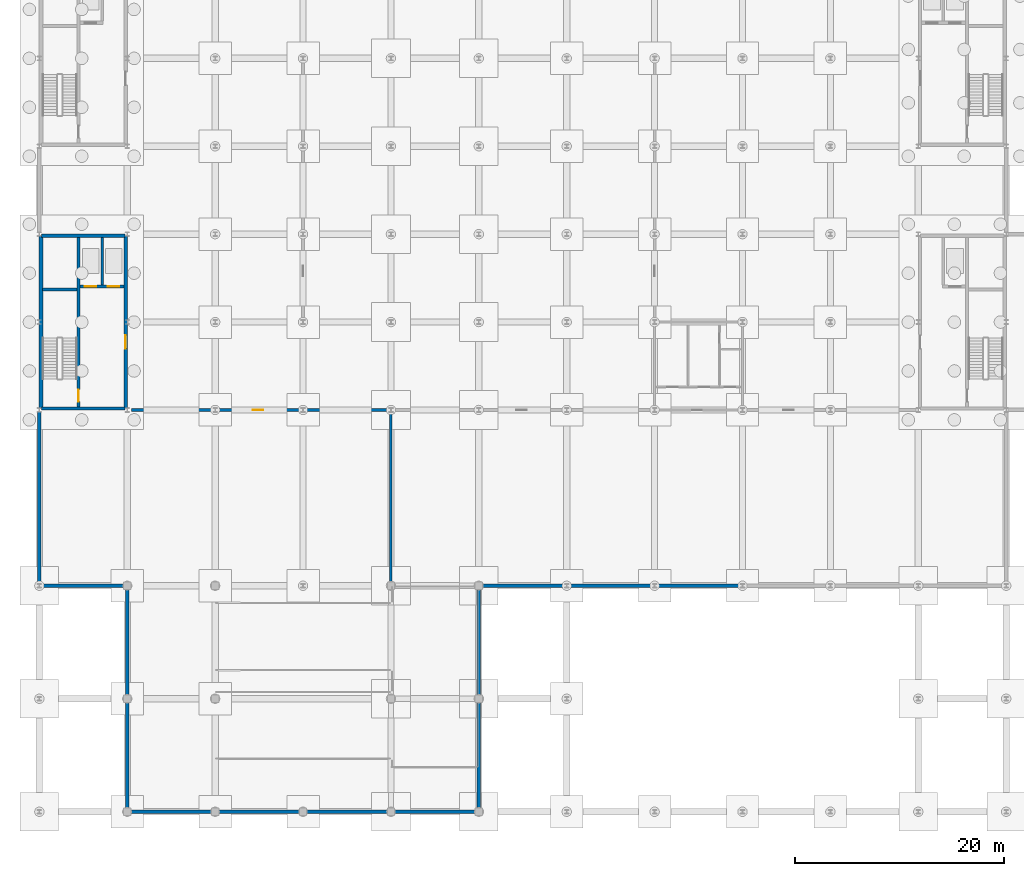
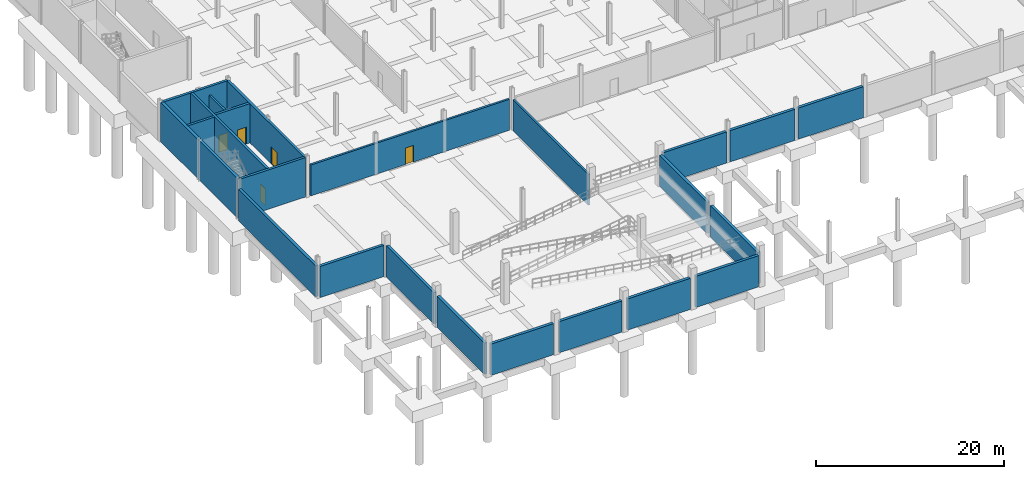
# One storey, part 23 of 36: 23 walls, 5 doors, 5 openings.
"""IFC4 building model written with IfcOpenShell, lengths in metres."""

from ifc_helpers import new_model, si_unit, direction, frame, frame_2d, origin, place, context, subcontext, project, spatial, rectangle, extrude, material, layer, layer_set, type_object, element, fill, save


model = new_model("IFC4")

# Units and contexts
model_context = context("Model", 3, precision=1e-05, world=origin(), true_north=direction((0.0, 1.0)))
body_context = subcontext(model_context, "Body", "Model", "MODEL_VIEW")
ifc_project = project(units=[si_unit("LENGTHUNIT", "METRE"), si_unit("AREAUNIT", "SQUARE_METRE"), si_unit("VOLUMEUNIT", "CUBIC_METRE"), si_unit("PLANEANGLEUNIT", "RADIAN"), si_unit("MASSUNIT", "GRAM", prefix="KILO"), si_unit("THERMODYNAMICTEMPERATUREUNIT", "KELVIN"), si_unit("POWERUNIT", "WATT")], contexts=[model_context])

# Site, building, storey
site_placement = place(None, origin())
site = spatial("IfcSite", under=ifc_project, at=site_placement, CompositionType="ELEMENT")
building_placement = place(site_placement, origin())
building = spatial("IfcBuilding", under=site, at=building_placement, Name="Tembeka Court Mobility Hub", CompositionType="ELEMENT")
storey_placement = place(building_placement, frame((0.0, 0.0, -5.39990234375)))
storey = spatial("IfcBuildingStorey", under=building, at=storey_placement, Name="B1", CompositionType="ELEMENT", Elevation=-5.39990234375)

# Wall
ifc_material_1 = material(Name="Concrete C40/50", Category="concrete")
ifc_layer_1 = layer(ifc_material_1, 0.25)
ifc_layer_set_1 = layer_set([ifc_layer_1], Name="Concrete C40/50")
wall_type_1 = type_object("IfcWallType", Name="WL-IW01", PredefinedType="PARTITIONING", material=ifc_layer_set_1)
wall_1_placement = place(storey_placement, frame((6.0, 50.35009765625, 0.0), z_axis=(0.0, 0.0, 1.0), x_axis=(0.0, 1.0, 0.0)))
element("IfcWall", 1, at=wall_1_placement, inside=storey, type_object=wall_type_1, Name="Wall IW01 (IW-B1-0008)", PredefinedType="PARTITIONING", context=body_context, shape_type="SweptSolid", body=[
    extrude(rectangle(XDim=4.5498046875, YDim=0.25, at=frame_2d((2.27490234375, 0.0))), origin(), (0.0, 0.0, 1.0), 4.02490234375),
])

# Wall, opening, door
wall_2_placement = place(storey_placement, frame((8.800048828125, 38.39990234375, 0.0), z_axis=(0.0, 0.0, 1.0), x_axis=(1.0, 0.0, 0.0)))
wall_2 = element("IfcWall", 2, at=wall_2_placement, inside=storey, type_object=wall_type_1, Name="Wall IW01 (IW-B1-0415)", PredefinedType="PARTITIONING", context=body_context, shape_type="SweptSolid", body=[
    extrude(rectangle(XDim=24.39990234375, YDim=0.25, at=frame_2d((12.199951171875, 0.0))), origin(), (0.0, 0.0, 1.0), 4.02490234375),
])
opening_1_placement = place(wall_2_placement, frame((11.60009765625, 0.0, 0.0)))
opening_1 = element("IfcOpeningElement", 3, at=opening_1_placement, cuts=wall_2, Name="Opening FD05", PredefinedType="OPENING", context=body_context, shape_type="SweptSolid", body=[
    extrude(rectangle(XDim=1.0, YDim=2.14990234375, at=frame_2d((0.5, 1.074951171875))), frame((0.0, 0.135009765625, 0.0), z_axis=(0.0, -1.0, 0.0), x_axis=(1.0, 0.0, 0.0)), (0.0, 0.0, 1.0), 0.27001953125),
])
ifc_material_2 = material(Name="Galvanised steel fire/shutter doorset", Category="steel")
door_type_1 = type_object("IfcDoorType", Name="DR-FD05", OperationType="NOTDEFINED", PredefinedType="DOOR", material=ifc_material_2)
door_1_placement = place(opening_1_placement, origin())
door_1 = element("IfcDoor", 4, at=door_1_placement, inside=storey, type_object=door_type_1, Name="Door FD05-0189", OperationType="SINGLE_SWING_LEFT", OverallHeight=2.14990234375, OverallWidth=1.0, PredefinedType="DOOR", context=body_context, shape_type="SweptSolid", body=[
    extrude(rectangle(XDim=1.0, YDim=2.14990234375, at=frame_2d((0.5, 1.074951171875))), frame((0.0, 0.02490234375, 0.0), z_axis=(0.0, -1.0, 0.0), x_axis=(1.0, 0.0, 0.0)), (0.0, 0.0, 1.0), 0.050048828125),
])
fill(opening_1, door_1)

# Walls
wall_3_placement = place(storey_placement, frame((33.60009765625, 22.0, 0.0), z_axis=(0.0, 0.0, 1.0), x_axis=(0.0, 1.0, 0.0)))
element("IfcWall", 5, at=wall_3_placement, inside=storey, type_object=wall_type_1, Name="Wall IW01 (IW-B1-0418)", PredefinedType="PARTITIONING", context=body_context, shape_type="SweptSolid", body=[
    extrude(rectangle(XDim=16.0, YDim=0.25, at=frame_2d((8.0, 0.0))), origin(), (0.0, 0.0, 1.0), 4.02490234375),
])
ifc_layer_2 = layer(ifc_material_1, 0.340087890625)
ifc_layer_set_2 = layer_set([ifc_layer_2], Name="Concrete C40/50")
wall_type_2 = type_object("IfcWallType", Name="WL-RW01", PredefinedType="USERDEFINED", material=ifc_layer_set_2)
wall_4_placement = place(storey_placement, frame((0.197509765625, 21.60009765625, 0.0), z_axis=(0.0, 0.0, 1.0), x_axis=(1.0, 0.0, 0.0)))
element("IfcWall", 6, at=wall_4_placement, inside=storey, type_object=wall_type_2, Name="External wall RW01 (EW-B1-0001)", ObjectType="RETAININGWALL", PredefinedType="USERDEFINED", context=body_context, shape_type="SweptSolid", body=[
    extrude(rectangle(XDim=7.8544921875, YDim=0.340087890625, at=frame_2d((3.92724609375, 0.0))), origin(), (0.0, 0.0, 1.0), 4.059814453125),
])
wall_5_placement = place(storey_placement, frame((8.748046875, 0.0, 0.0), z_axis=(0.0, 0.0, 1.0), x_axis=(1.0, 0.0, 0.0)))
element("IfcWall", 7, at=wall_5_placement, inside=storey, type_object=wall_type_2, Name="External wall RW01 (EW-B1-0003)", ObjectType="RETAININGWALL", PredefinedType="USERDEFINED", context=body_context, shape_type="SweptSolid", body=[
    extrude(rectangle(XDim=7.703857421875, YDim=0.340087890625, at=frame_2d((3.85205078125, 0.0))), origin(), (0.0, 0.0, 1.0), 4.059814453125),
])
wall_6_placement = place(storey_placement, frame((17.14794921875, 0.0, 0.0), z_axis=(0.0, 0.0, 1.0), x_axis=(1.0, 0.0, 0.0)))
element("IfcWall", 8, at=wall_6_placement, inside=storey, type_object=wall_type_2, Name="External wall RW01 (EW-B1-0005)", ObjectType="RETAININGWALL", PredefinedType="USERDEFINED", context=body_context, shape_type="SweptSolid", body=[
    extrude(rectangle(XDim=7.7041015625, YDim=0.340087890625, at=frame_2d((3.85205078125, 0.0))), origin(), (0.0, 0.0, 1.0), 4.059814453125),
])
wall_7_placement = place(storey_placement, frame((25.548095703125, 0.0, 0.0), z_axis=(0.0, 0.0, 1.0), x_axis=(1.0, 0.0, 0.0)))
element("IfcWall", 9, at=wall_7_placement, inside=storey, type_object=wall_type_2, Name="External wall RW01 (EW-B1-0007)", ObjectType="RETAININGWALL", PredefinedType="USERDEFINED", context=body_context, shape_type="SweptSolid", body=[
    extrude(rectangle(XDim=7.703857421875, YDim=0.340087890625, at=frame_2d((3.85205078125, 0.0))), origin(), (0.0, 0.0, 1.0), 4.059814453125),
])
wall_8_placement = place(storey_placement, frame((33.947998046875, 0.0, 0.0), z_axis=(0.0, 0.0, 1.0), x_axis=(1.0, 0.0, 0.0)))
element("IfcWall", 10, at=wall_8_placement, inside=storey, type_object=wall_type_2, Name="External wall RW01 (EW-B1-0009)", ObjectType="RETAININGWALL", PredefinedType="USERDEFINED", context=body_context, shape_type="SweptSolid", body=[
    extrude(rectangle(XDim=7.7041015625, YDim=0.340087890625, at=frame_2d((3.85205078125, 0.0))), origin(), (0.0, 0.0, 1.0), 4.059814453125),
])
wall_9_placement = place(storey_placement, frame((42.347900390625, 21.60009765625, 0.0), z_axis=(0.0, 0.0, 1.0), x_axis=(1.0, 0.0, 0.0)))
element("IfcWall", 11, at=wall_9_placement, inside=storey, type_object=wall_type_2, Name="External wall RW01 (EW-B1-0011)", ObjectType="RETAININGWALL", PredefinedType="USERDEFINED", context=body_context, shape_type="SweptSolid", body=[
    extrude(rectangle(XDim=7.8544921875, YDim=0.340087890625, at=frame_2d((3.92724609375, 0.0))), origin(), (0.0, 0.0, 1.0), 4.059814453125),
])
wall_10_placement = place(storey_placement, frame((50.597412109375, 21.60009765625, 0.0), z_axis=(0.0, 0.0, 1.0), x_axis=(1.0, 0.0, 0.0)))
element("IfcWall", 12, at=wall_10_placement, inside=storey, type_object=wall_type_2, Name="External wall RW01 (EW-B1-0013)", ObjectType="RETAININGWALL", PredefinedType="USERDEFINED", context=body_context, shape_type="SweptSolid", body=[
    extrude(rectangle(XDim=8.005126953125, YDim=0.340087890625, at=frame_2d((4.00244140625, 0.0))), origin(), (0.0, 0.0, 1.0), 4.059814453125),
])
wall_11_placement = place(storey_placement, frame((58.99755859375, 21.60009765625, 0.0), z_axis=(0.0, 0.0, 1.0), x_axis=(1.0, 0.0, 0.0)))
element("IfcWall", 13, at=wall_11_placement, inside=storey, type_object=wall_type_2, Name="External wall RW01 (EW-B1-0015)", ObjectType="RETAININGWALL", PredefinedType="USERDEFINED", context=body_context, shape_type="SweptSolid", body=[
    extrude(rectangle(XDim=8.0048828125, YDim=0.340087890625, at=frame_2d((4.00244140625, 0.0))), origin(), (0.0, 0.0, 1.0), 4.059814453125),
])
for number, where, z_axis, x_axis, name in (
    (14, (8.39990234375, 0.347900390625, 0.0), (0.0, 0.0, 1.0), (0.0, 1.0, 0.0), "External wall RW01 (EW-B1-0023)"),
    (15, (42.0, 0.347900390625, 0.0), (0.0, 0.0, 1.0), (0.0, 1.0, 0.0), "External wall RW01 (EW-B1-0024)"),
    (16, (8.39990234375, 11.14794921875, 0.0), (0.0, 0.0, 1.0), (0.0, 1.0, 0.0), "External wall RW01 (EW-B1-0025)"),
    (17, (42.0, 11.14794921875, 0.0), (0.0, 0.0, 1.0), (0.0, 1.0, 0.0), "External wall RW01 (EW-B1-0026)"),
):
    element("IfcWall", number, at=place(storey_placement, frame(where, z_axis=z_axis, x_axis=x_axis)), inside=storey, type_object=wall_type_2, Name=name, ObjectType="RETAININGWALL", PredefinedType="USERDEFINED", context=body_context, shape_type="SweptSolid", body=[
        extrude(rectangle(XDim=10.10400390625, YDim=0.340087890625, at=frame_2d((5.052001953125, 0.0))), origin(), (0.0, 0.0, 1.0), 4.059814453125),
    ])
wall_12_placement = place(storey_placement, frame((0.0, 21.794921875, 0.0), z_axis=(0.0, 0.0, 1.0), x_axis=(0.0, 1.0, 0.0)))
element("IfcWall", 18, at=wall_12_placement, inside=storey, type_object=wall_type_2, Name="External wall RW01 (EW-B1-0031)", ObjectType="RETAININGWALL", PredefinedType="USERDEFINED", context=body_context, shape_type="SweptSolid", body=[
    extrude(rectangle(XDim=16.41015625, YDim=0.340087890625, at=frame_2d((8.205078125, 0.0))), origin(), (0.0, 0.0, 1.0), 4.059814453125),
])
ifc_layer_3 = layer(ifc_material_1, 0.300048828125)
ifc_layer_set_3 = layer_set([ifc_layer_3], Name="Concrete C40/50")
wall_type_3 = type_object("IfcWallType", Name="WL-SW01", PredefinedType="SHEAR", material=ifc_layer_set_3)
for number, where, z_axis, x_axis, name in (
    (19, (0.197509765625, 38.550048828125, 0.0), (0.0, 0.0, 1.0), (1.0, 0.0, 0.0), "Wall SW01 (IW-B1-0001)"),
    (20, (0.197509765625, 55.050048828125, 0.0), (0.0, 0.0, 1.0), (1.0, 0.0, 0.0), "Wall SW01 (IW-B1-0002)"),
):
    element("IfcWall", number, at=place(storey_placement, frame(where, z_axis=z_axis, x_axis=x_axis)), inside=storey, type_object=wall_type_3, Name=name, PredefinedType="SHEAR", context=body_context, shape_type="SweptSolid", body=[
        extrude(rectangle(XDim=8.0048828125, YDim=0.300048828125, at=frame_2d((4.00244140625, 0.0))), origin(), (0.0, 0.0, 1.0), 5.119873046875),
    ])
wall_13_placement = place(storey_placement, frame((0.300048828125, 49.89990234375, 0.0), z_axis=(0.0, 0.0, 1.0), x_axis=(1.0, 0.0, 0.0)))
element("IfcWall", 21, at=wall_13_placement, inside=storey, type_object=wall_type_3, Name="Wall SW01 (IW-B1-0003)", PredefinedType="SHEAR", context=body_context, shape_type="SweptSolid", body=[
    extrude(rectangle(XDim=3.300048828125, YDim=0.300048828125, at=frame_2d((1.64990234375, 0.0))), origin(), (0.0, 0.0, 1.0), 5.119873046875),
])

# Wall, opening, door
wall_14_placement = place(storey_placement, frame((8.25, 38.594970703125, 0.0), z_axis=(0.0, 0.0, 1.0), x_axis=(0.0, 1.0, 0.0)))
wall_14 = element("IfcWall", 22, at=wall_14_placement, inside=storey, type_object=wall_type_3, Name="Wall SW01 (IW-B1-0005)", PredefinedType="SHEAR", context=body_context, shape_type="SweptSolid", body=[
    extrude(rectangle(XDim=16.409912109375, YDim=0.300048828125, at=frame_2d((8.205078125, 0.0))), origin(), (0.0, 0.0, 1.0), 5.119873046875),
])
opening_2_placement = place(wall_14_placement, frame((5.655029296875, 0.0, 0.0)))
opening_2 = element("IfcOpeningElement", 23, at=opening_2_placement, cuts=wall_14, Name="Opening FD02", PredefinedType="OPENING", context=body_context, shape_type="SweptSolid", body=[
    extrude(rectangle(XDim=1.300048828125, YDim=2.199951171875, at=frame_2d((0.64990234375, 1.10009765625))), frame((0.0, 0.16015625, 0.0), z_axis=(0.0, -1.0, 0.0), x_axis=(1.0, 0.0, 0.0)), (0.0, 0.0, 1.0), 0.320068359375),
])
door_type_2 = type_object("IfcDoorType", Name="DR-FD02", OperationType="NOTDEFINED", PredefinedType="DOOR", material=ifc_material_2)
door_2_placement = place(opening_2_placement, origin())
door_2 = element("IfcDoor", 24, at=door_2_placement, inside=storey, type_object=door_type_2, Name="Door FD02-0001", OperationType="SINGLE_SWING_RIGHT", OverallHeight=2.199951171875, OverallWidth=1.300048828125, PredefinedType="DOOR", context=body_context, shape_type="SweptSolid", body=[
    extrude(rectangle(XDim=1.300048828125, YDim=2.199951171875, at=frame_2d((0.64990234375, 1.10009765625))), frame((0.0, 0.02490234375, 0.0), z_axis=(0.0, -1.0, 0.0), x_axis=(1.0, 0.0, 0.0)), (0.0, 0.0, 1.0), 0.050048828125),
])
fill(opening_2, door_2)

wall_15_placement = place(storey_placement, frame((3.75, 38.699951171875, 0.0), z_axis=(0.0, 0.0, 1.0), x_axis=(0.0, 1.0, 0.0)))
wall_15 = element("IfcWall", 25, at=wall_15_placement, inside=storey, type_object=wall_type_3, Name="Wall SW01 (IW-B1-0006)", PredefinedType="SHEAR", context=body_context, shape_type="SweptSolid", body=[
    extrude(rectangle(XDim=16.199951171875, YDim=0.300048828125, at=frame_2d((8.10009765625, 0.0))), origin(), (0.0, 0.0, 1.0), 5.119873046875),
])
opening_3_placement = place(wall_15_placement, frame((0.5, 0.0, 0.0)))
opening_3 = element("IfcOpeningElement", 26, at=opening_3_placement, cuts=wall_15, Name="Opening FD03", PredefinedType="OPENING", context=body_context, shape_type="SweptSolid", body=[
    extrude(rectangle(XDim=1.14990234375, YDim=2.14990234375, at=frame_2d((0.574951171875, 1.074951171875))), frame((0.0, 0.16015625, 0.0), z_axis=(0.0, -1.0, 0.0), x_axis=(1.0, 0.0, 0.0)), (0.0, 0.0, 1.0), 0.320068359375),
])
door_type_3 = type_object("IfcDoorType", Name="DR-FD03", OperationType="NOTDEFINED", PredefinedType="DOOR", material=ifc_material_2)
door_3_placement = place(opening_3_placement, frame((1.14990234375, 0.0, 0.0), z_axis=(0.0, 0.0, 1.0), x_axis=(-1.0, 0.0, 0.0)))
door_3 = element("IfcDoor", 27, at=door_3_placement, inside=storey, type_object=door_type_3, Name="Door FD03-0002", OperationType="SINGLE_SWING_LEFT", OverallHeight=2.14990234375, OverallWidth=1.14990234375, PredefinedType="DOOR", context=body_context, shape_type="SweptSolid", body=[
    extrude(rectangle(XDim=1.14990234375, YDim=2.14990234375, at=frame_2d((0.574951171875, 1.074951171875))), frame((0.0, 0.02490234375, 0.0), z_axis=(0.0, -1.0, 0.0), x_axis=(1.0, 0.0, 0.0)), (0.0, 0.0, 1.0), 0.050048828125),
])
fill(opening_3, door_3)

# Wall, openings, doors
wall_16_placement = place(storey_placement, frame((3.89990234375, 50.199951171875, 0.0), z_axis=(0.0, 0.0, 1.0), x_axis=(1.0, 0.0, 0.0)))
wall_16 = element("IfcWall", 28, at=wall_16_placement, inside=storey, type_object=wall_type_3, Name="Wall SW01 (IW-B1-0007)", PredefinedType="SHEAR", context=body_context, shape_type="SweptSolid", body=[
    extrude(rectangle(XDim=4.2001953125, YDim=0.300048828125, at=frame_2d((2.10009765625, 0.0))), origin(), (0.0, 0.0, 1.0), 5.119873046875),
])
opening_4_placement = place(wall_16_placement, frame((0.449951171875, 0.0, 0.0)))
opening_4 = element("IfcOpeningElement", 29, at=opening_4_placement, cuts=wall_16, Name="Opening LD01", PredefinedType="OPENING", context=body_context, shape_type="SweptSolid", body=[
    extrude(rectangle(XDim=1.10009765625, YDim=2.199951171875, at=frame_2d((0.550048828125, 1.10009765625))), frame((0.0, 0.16015625, 0.0), z_axis=(0.0, -1.0, 0.0), x_axis=(1.0, 0.0, 0.0)), (0.0, 0.0, 1.0), 0.320068359375),
])
opening_5_placement = place(wall_16_placement, frame((2.64990234375, 0.0, 0.0)))
opening_5 = element("IfcOpeningElement", 30, at=opening_5_placement, cuts=wall_16, Name="Opening LD01", PredefinedType="OPENING", context=body_context, shape_type="SweptSolid", body=[
    extrude(rectangle(XDim=1.10009765625, YDim=2.199951171875, at=frame_2d((0.550048828125, 1.10009765625))), frame((0.0, 0.16015625, 0.0), z_axis=(0.0, -1.0, 0.0), x_axis=(1.0, 0.0, 0.0)), (0.0, 0.0, 1.0), 0.320068359375),
])
door_type_4 = type_object("IfcDoorType", Name="DR-LD01", OperationType="SLIDING_TO_LEFT", PredefinedType="DOOR", material=ifc_material_2)
door_4_placement = place(opening_4_placement, origin())
door_4 = element("IfcDoor", 31, at=door_4_placement, inside=storey, type_object=door_type_4, Name="Lift LF01 landing door B1", OperationType="SLIDING_TO_LEFT", OverallHeight=2.199951171875, OverallWidth=1.10009765625, PredefinedType="DOOR", context=body_context, shape_type="SweptSolid", body=[
    extrude(rectangle(XDim=1.10009765625, YDim=2.199951171875, at=frame_2d((0.550048828125, 1.10009765625))), frame((0.0, 0.02490234375, 0.0), z_axis=(0.0, -1.0, 0.0), x_axis=(1.0, 0.0, 0.0)), (0.0, 0.0, 1.0), 0.050048828125),
])
fill(opening_4, door_4)
door_5_placement = place(opening_5_placement, origin())
door_5 = element("IfcDoor", 32, at=door_5_placement, inside=storey, type_object=door_type_4, Name="Lift LF03 landing door B1", OperationType="SLIDING_TO_LEFT", OverallHeight=2.199951171875, OverallWidth=1.10009765625, PredefinedType="DOOR", context=body_context, shape_type="SweptSolid", body=[
    extrude(rectangle(XDim=1.10009765625, YDim=2.199951171875, at=frame_2d((0.550048828125, 1.10009765625))), frame((0.0, 0.02490234375, 0.0), z_axis=(0.0, -1.0, 0.0), x_axis=(1.0, 0.0, 0.0)), (0.0, 0.0, 1.0), 0.050048828125),
])
fill(opening_5, door_5)

# Wall
ifc_layer_4 = layer(ifc_material_1, 0.35009765625)
ifc_layer_set_4 = layer_set([ifc_layer_4], Name="Concrete C40/50")
wall_type_4 = type_object("IfcWallType", Name="WL-SW02", PredefinedType="SHEAR", material=ifc_layer_set_4)
wall_17_placement = place(storey_placement, frame((0.14990234375, 38.594970703125, 0.0), z_axis=(0.0, 0.0, 1.0), x_axis=(0.0, 1.0, 0.0)))
element("IfcWall", 33, at=wall_17_placement, inside=storey, type_object=wall_type_4, Name="Wall SW02 (IW-B1-0004)", PredefinedType="SHEAR", context=body_context, shape_type="SweptSolid", body=[
    extrude(rectangle(XDim=16.409912109375, YDim=0.35009765625, at=frame_2d((8.205078125, 0.0))), origin(), (0.0, 0.0, 1.0), 5.119873046875),
])

save(model, "model.ifc")
